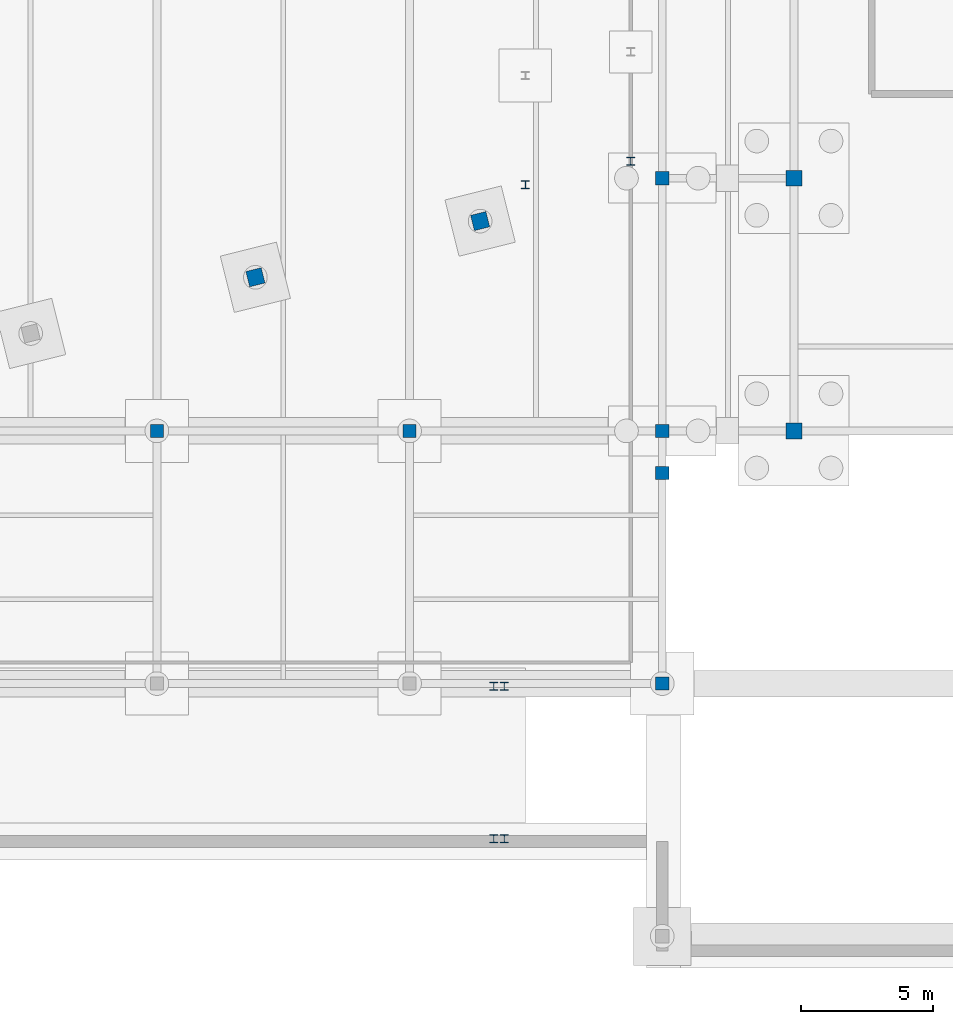
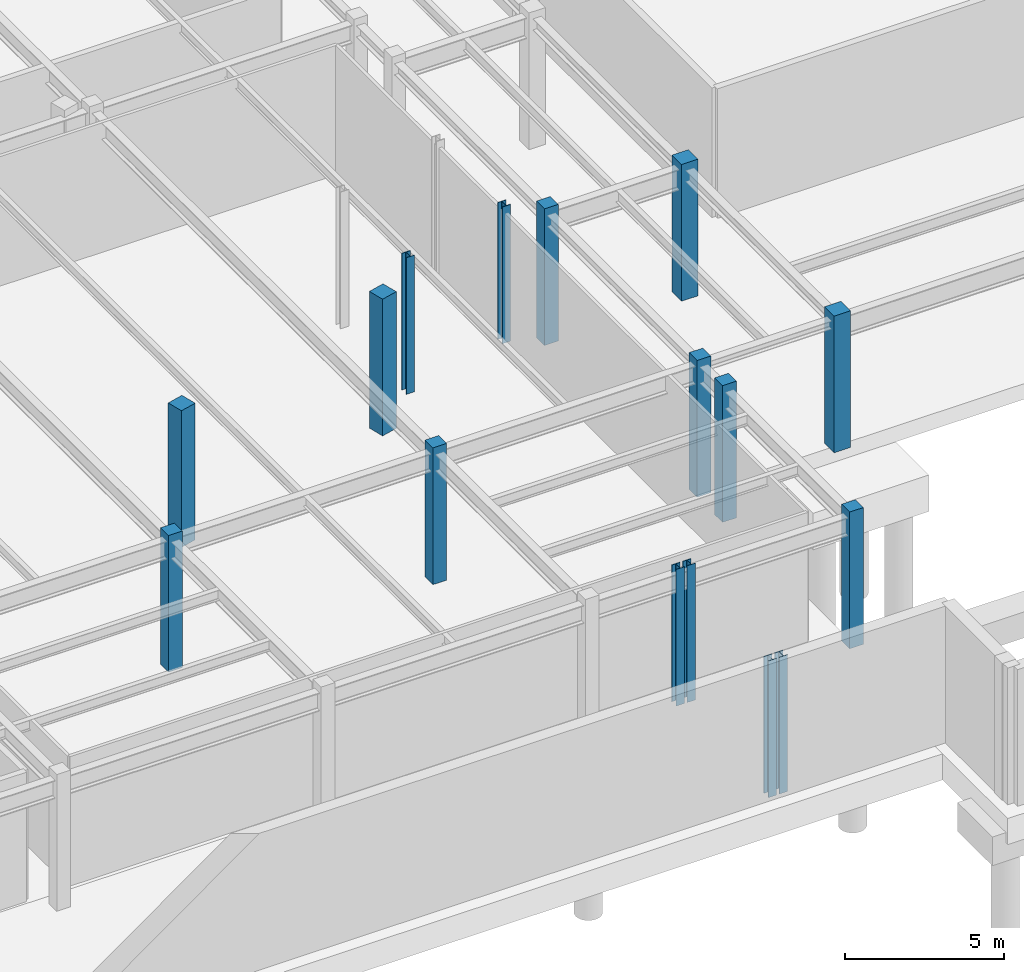
# One storey, part 10 of 33: 16 columns.
"""IFC4 building model written with IfcOpenShell, lengths in metres."""

from ifc_helpers import new_model, si_unit, direction, frame, origin, origin_2d, place, context, subcontext, project, spatial, rectangle, i_section, extrude, material, material_profile, profile_set, type_object, element, save


model = new_model("IFC4")

# Units and contexts
model_context = context("Model", 3, precision=1e-05, world=origin(), true_north=direction((0.0, 1.0)))
body_context = subcontext(model_context, "Body", "Model", "MODEL_VIEW")
ifc_project = project(units=[si_unit("LENGTHUNIT", "METRE"), si_unit("AREAUNIT", "SQUARE_METRE"), si_unit("VOLUMEUNIT", "CUBIC_METRE"), si_unit("PLANEANGLEUNIT", "RADIAN"), si_unit("MASSUNIT", "GRAM", prefix="KILO")], contexts=[model_context])

# Site, building, storey
site_placement = place(None, origin())
site = spatial("IfcSite", under=ifc_project, at=site_placement, CompositionType="ELEMENT")
building_placement = place(site_placement, origin())
building = spatial("IfcBuilding", under=site, at=building_placement, Name="Nordkorset Police Headquarters", CompositionType="ELEMENT")
storey_placement = place(building_placement, frame((0.0, 0.0, -9.800048828125)))
storey = spatial("IfcBuildingStorey", under=building, at=storey_placement, Name="B02", CompositionType="ELEMENT", Elevation=-9.800048828125)

# Columns
ifc_material_1 = material(Name="Steel S355J2", Category="steel")
ifc_material_profile_1 = material_profile(ifc_material_1, i_section(OverallWidth=0.300048828125, OverallDepth=0.300048828125, WebThickness=0.010986328125, FlangeThickness=0.01904296875, FilletRadius=0.027099609375, at=origin_2d()), Name="HEB 300")
ifc_profile_set_1 = profile_set([ifc_material_profile_1], Name="Steel S355J2")
column_type_1 = type_object("IfcColumnType", Name="Col_HEB_300", PredefinedType="COLUMN", material=ifc_profile_set_1)
for number, where, z_axis, x_axis, name in (
    (1, (81.199951171875, 57.35009765625, 0.0), (0.0, 0.0, 1.0), (1.0, 0.0, 0.0), "Courtyard Link Bridge Column BRG_E_W2 B02"),
    (2, (85.199951171875, 58.25, 0.0), (0.0, 0.0, 1.0), (1.0, 0.0, 0.0), "Courtyard Link Bridge Column BRG_E_E2 B02"),
    (3, (80.39990234375, 32.5, 0.0), (0.0, 0.0, 1.0), (1.0, 0.0, 0.0), "Portal Jamb Post B02 LNT-VG03-0"),
    (4, (80.39990234375, 38.300048828125, 0.0), (0.0, 0.0, 1.0), (1.0, 0.0, 0.0), "Portal Jamb Post B02 LNT-VG03-1"),
    (5, (80.0, 32.5, 0.0), (0.0, 0.0, 1.0), (1.0, 0.0, 0.0), "Ramp Hood Pier B02 2"),
    (6, (80.0, 38.300048828125, 0.0), (0.0, 0.0, 1.0), (1.0, 0.0, 0.0), "Ramp Hood Pier B02 4"),
):
    element("IfcColumn", number, at=place(storey_placement, frame(where, z_axis=z_axis, x_axis=x_axis)), inside=storey, type_object=column_type_1, Name=name, PredefinedType="COLUMN", context=body_context, shape_type="SweptSolid", body=[
        extrude(i_section(OverallWidth=0.300048828125, OverallDepth=0.300048828125, WebThickness=0.010986328125, FlangeThickness=0.01904296875, FilletRadius=0.027099609375, at=origin_2d()), origin(), (0.0, 0.0, 1.0), 5.25),
    ])
ifc_material_2 = material(Name="Concrete C45/55", Category="concrete")
ifc_material_profile_2 = material_profile(ifc_material_2, rectangle(XDim=0.5, YDim=0.5, at=origin_2d()), Name="RC 500x500")
ifc_profile_set_2 = profile_set([ifc_material_profile_2], Name="Concrete C45/55")
column_type_2 = type_object("IfcColumnType", Name="Col_RC_500x500", PredefinedType="COLUMN", material=ifc_profile_set_2)
for number, where, z_axis, x_axis, name in (
    (7, (86.39990234375, 48.0, 0.0), (0.0, 0.0, 1.0), (1.0, 0.0, 0.0), "Structural Column V5_X0_0 B02"),
    (8, (86.39990234375, 57.60009765625, 0.0), (0.0, 0.0, 1.0), (1.0, 0.0, 0.0), "Structural Column V5_X0_1 B02"),
    (9, (67.199951171875, 48.0, 0.0), (0.0, 0.0, 1.0), (1.0, 0.0, 0.0), "Structural Column SUB_C_4_1 B02"),
    (10, (76.800048828125, 48.0, 0.0), (0.0, 0.0, 1.0), (1.0, 0.0, 0.0), "Structural Column SUB_C_5_1 B02"),
    (11, (86.39990234375, 38.39990234375, 0.0), (0.0, 0.0, 1.0), (1.0, 0.0, 0.0), "Structural Column SUB_C_6_0 B02"),
    (12, (86.39990234375, 46.39990234375, 0.0), (0.0, 0.0, 1.0), (1.0, 0.0, 0.0), "Structural Column V7_EC_0_464 B02"),
):
    element("IfcColumn", number, at=place(storey_placement, frame(where, z_axis=z_axis, x_axis=x_axis)), inside=storey, type_object=column_type_2, Name=name, PredefinedType="COLUMN", context=body_context, shape_type="SweptSolid", body=[
        extrude(rectangle(XDim=0.5, YDim=0.5, at=origin_2d()), origin(), (0.0, 0.0, 1.0), 5.25),
    ])
ifc_material_3 = material(Name="Concrete C45/55", Category="concrete")
ifc_material_profile_3 = material_profile(ifc_material_3, rectangle(XDim=0.60009765625, YDim=0.60009765625, at=origin_2d()), Name="RC 600x600")
ifc_profile_set_3 = profile_set([ifc_material_profile_3], Name="Concrete C45/55")
column_type_3 = type_object("IfcColumnType", Name="Col_RC_600x600", PredefinedType="COLUMN", material=ifc_profile_set_3)
for number, where, z_axis, x_axis, name in (
    (13, (91.39990234375, 48.0, 0.0), (0.0, 0.0, 1.0), (1.0, 0.0, 0.0), "Structural Column V5_X1_0 B02"),
    (14, (91.39990234375, 57.60009765625, 0.0), (0.0, 0.0, 1.0), (1.0, 0.0, 0.0), "Structural Column V5_X1_1 B02"),
    (15, (70.94287109375, 53.835693359375, 0.0), (0.0, 0.0, 1.0), (0.970142500145, 0.242535625038, 0.0), "Structural Column V4_U5_V0 B02"),
    (16, (79.480224609375, 55.969970703125, 0.0), (0.0, 0.0, 1.0), (0.970142500145, 0.242535625038, 0.0), "Structural Column V4_U6_V0 B02"),
):
    element("IfcColumn", number, at=place(storey_placement, frame(where, z_axis=z_axis, x_axis=x_axis)), inside=storey, type_object=column_type_3, Name=name, PredefinedType="COLUMN", context=body_context, shape_type="SweptSolid", body=[
        extrude(rectangle(XDim=0.60009765625, YDim=0.60009765625, at=origin_2d()), origin(), (0.0, 0.0, 1.0), 5.25),
    ])

save(model, "model.ifc")
